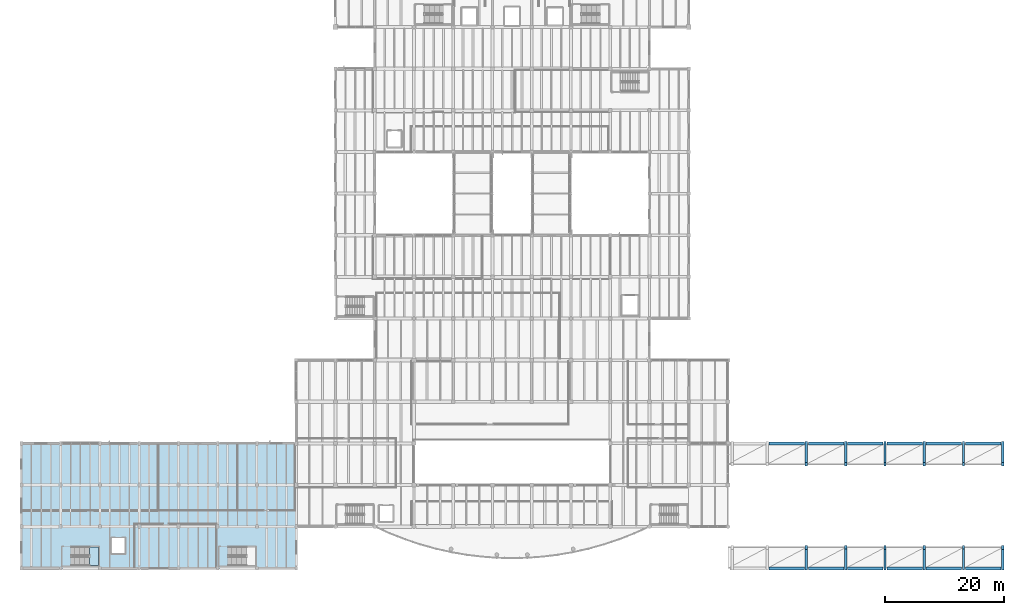
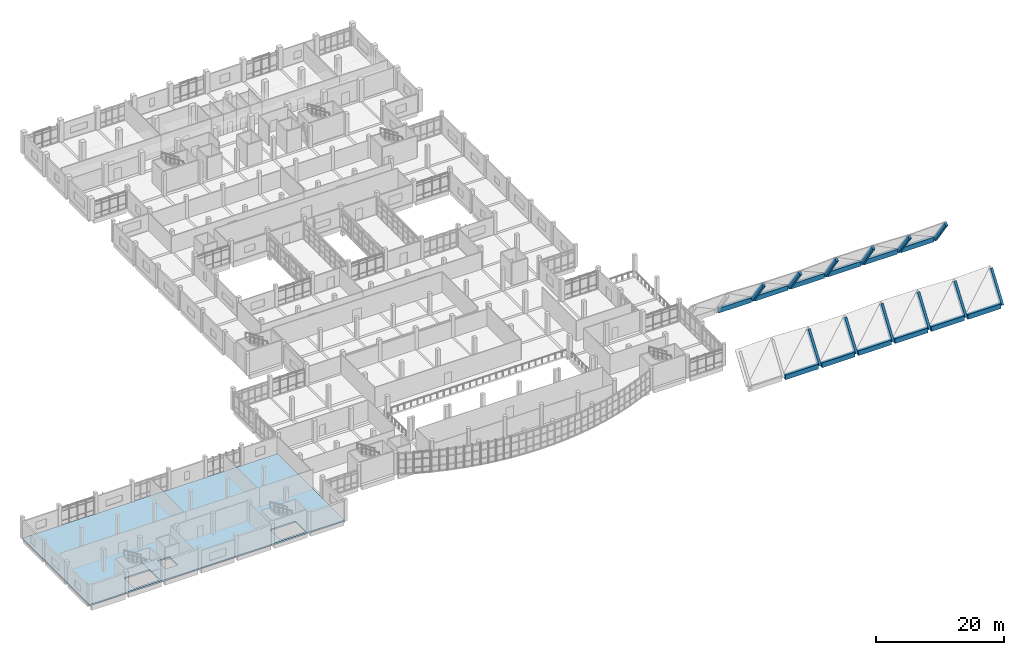
# One storey, part 35 of 67: 24 beams, 2 slabs, 1 element without a shape of its own.
"""IFC4 building model written with IfcOpenShell, lengths in metres."""

import ifcopenshell
import ifcopenshell.guid

model = None  # the IFC model being written
_history = None  # IfcOwnerHistory: only IFC2X3 demands one
_inside = {}  # id of a spatial element -> (the spatial element, [elements in it])
_under = {}  # id of a project, library or spatial element -> (it, [spatial elements below it])
_declared = {}  # id of a project -> (the project, [libraries it declares])
_typed = {}  # id of a type object -> (the type object, [elements of that type])
_made_of = {}  # id of a material, layer set ... -> (it, [elements and type objects made of it])


def new_model(schema):
    """Start an empty IFC model of exactly this schema.

    Asked for "IFC4X3", IfcOpenShell would pick the latest addendum, in which some entities
    have other attributes; the version numbers below select the first issue.
    IFC2X3 requires an IfcOwnerHistory on every rooted entity: one is made here for all.
    """
    global model, _history
    if schema == "IFC4X3":
        model = ifcopenshell.file(schema_version=(4, 3, 0, 0))
    else:
        model = ifcopenshell.file(schema=schema)
    _inside.clear()
    _under.clear()
    _declared.clear()
    _typed.clear()
    _made_of.clear()
    _history = None
    if model.schema == "IFC2X3":
        org = make("IfcOrganization", Name="unknown")
        user = make(
            "IfcPersonAndOrganization",
            ThePerson=make("IfcPerson", FamilyName="unknown"),
            TheOrganization=org,
        )
        app = make(
            "IfcApplication",
            ApplicationDeveloper=org,
            Version="unknown",
            ApplicationFullName="unknown",
            ApplicationIdentifier="unknown",
        )
        _history = make(
            "IfcOwnerHistory",
            OwningUser=user,
            OwningApplication=app,
            ChangeAction="ADDED",
            CreationDate=0,
        )
    return model


def make(cls, **values):
    """One entity of the class cls with the attributes given. An attribute that is None is left unset."""
    return model.create_entity(
        cls, **{name: value for name, value in values.items() if value is not None}
    )


def rooted(cls, **values):
    """An entity with a GlobalId (a new one), such as an element, a storey or a relation."""
    return make(cls, GlobalId=ifcopenshell.guid.new(), OwnerHistory=_history, **values)


def si_unit(unit_type, name, prefix=None):
    """IfcSIUnit, for example si_unit("LENGTHUNIT", "METRE", prefix="MILLI")."""
    return make("IfcSIUnit", UnitType=unit_type, Prefix=prefix, Name=name)


def assignment(units):
    """IfcUnitAssignment: the units of a project."""
    return None if units is None else make("IfcUnitAssignment", Units=units)


def point(xyz):
    """IfcCartesianPoint."""
    return None if xyz is None else make("IfcCartesianPoint", Coordinates=xyz)


def direction(xyz):
    """IfcDirection."""
    return None if xyz is None else make("IfcDirection", DirectionRatios=xyz)


def frame(location, z_axis=None, x_axis=None):
    """IfcAxis2Placement3D, a coordinate frame: its origin and axes. An axis left out is left unset."""
    return make(
        "IfcAxis2Placement3D",
        Location=point(location),
        Axis=direction(z_axis),
        RefDirection=direction(x_axis),
    )


def frame_2d(location, x_axis=None):
    """IfcAxis2Placement2D, a coordinate frame in the plane: its origin and x axis."""
    return make(
        "IfcAxis2Placement2D", Location=point(location), RefDirection=direction(x_axis)
    )


def origin():
    """The frame at (0, 0, 0) with its axes left unset."""
    return frame((0.0, 0.0, 0.0))


def origin_2d():
    """The frame at (0, 0) in the plane with its x axis left unset."""
    return frame_2d((0.0, 0.0))


def place(relative_to, where):
    """IfcLocalPlacement: puts the frame where relative to a parent placement (None: the world)."""
    return make(
        "IfcLocalPlacement", PlacementRelTo=relative_to, RelativePlacement=where
    )


def context(
    kind, dimensions, precision=None, world=None, true_north=None, identifier=None
):
    """IfcGeometricRepresentationContext, for example the 3D "Model" context."""
    return make(
        "IfcGeometricRepresentationContext",
        ContextIdentifier=identifier,
        ContextType=kind,
        CoordinateSpaceDimension=dimensions,
        Precision=precision,
        WorldCoordinateSystem=world,
        TrueNorth=true_north,
    )


def subcontext(parent, identifier, kind, view, scale=None):
    """IfcGeometricRepresentationSubContext, for example "Body" below "Model"."""
    return make(
        "IfcGeometricRepresentationSubContext",
        ContextIdentifier=identifier,
        ContextType=kind,
        ParentContext=parent,
        TargetScale=scale,
        TargetView=view,
    )


def project(units=None, contexts=None):
    """IfcProject with its units and contexts."""
    return rooted(
        "IfcProject",
        Name="project",
        RepresentationContexts=contexts,
        UnitsInContext=assignment(units),
    )


def spatial(cls, under=None, at=None, **own):
    """A site, building, storey or space (cls), placed at a placement, below another one or the project."""
    s = rooted(cls, ObjectPlacement=at, **own)
    if under is not None:
        _under.setdefault(under.id(), (under, []))[1].append(s)
    return s


def polyline(points):
    """IfcPolyline through the points."""
    return make("IfcPolyline", Points=[point(p) for p in points])


def profile(cls, at=None, kind="AREA", **sizes):
    """A parametric profile (cls). Its sizes go by their IFC names, for example OverallWidth=200.0."""
    return make(cls, ProfileType=kind, Position=at, **sizes)


def rectangle(**sizes):
    """IfcRectangleProfileDef."""
    return profile("IfcRectangleProfileDef", **sizes)


def outline(outer, holes=None, kind="AREA"):
    """IfcArbitraryClosedProfileDef: a profile drawn as a closed curve; with holes, ...WithVoids."""
    if holes is None:
        return make("IfcArbitraryClosedProfileDef", ProfileType=kind, OuterCurve=outer)
    return make(
        "IfcArbitraryProfileDefWithVoids",
        ProfileType=kind,
        OuterCurve=outer,
        InnerCurves=holes,
    )


def extrude(swept, where, along, depth):
    """IfcExtrudedAreaSolid: the profile swept, set in the frame where, extruded along a direction by depth."""
    return make(
        "IfcExtrudedAreaSolid",
        SweptArea=swept,
        Position=where,
        ExtrudedDirection=direction(along),
        Depth=depth,
    )


def shape(context_of_items, identifier, shape_type, items):
    """IfcShapeRepresentation: the items that make up one representation, for example the "Body"."""
    return make(
        "IfcShapeRepresentation",
        ContextOfItems=context_of_items,
        RepresentationIdentifier=identifier,
        RepresentationType=shape_type,
        Items=items,
    )


def material(Name=None, Category=None):
    """IfcMaterial."""
    return make("IfcMaterial", Name=Name, Category=Category)


def layer(
    of_material, thickness, ventilated=None, Name=None, Category=None, Priority=None
):
    """IfcMaterialLayer: one layer of a wall or slab, of a material (None: an air gap)."""
    return make(
        "IfcMaterialLayer",
        Material=of_material,
        LayerThickness=thickness,
        IsVentilated=ventilated,
        Name=Name,
        Category=Category,
        Priority=Priority,
    )


def layer_set(layers, Name=None):
    """IfcMaterialLayerSet."""
    return make("IfcMaterialLayerSet", MaterialLayers=layers, LayerSetName=Name)


def material_profile(
    of_material, cross_section, Name=None, Category=None, Priority=None
):
    """IfcMaterialProfile: a cross section and its material."""
    return make(
        "IfcMaterialProfile",
        Name=Name,
        Material=of_material,
        Profile=cross_section,
        Priority=Priority,
        Category=Category,
    )


def profile_set(profiles, Name=None, composite=None):
    """IfcMaterialProfileSet."""
    return make(
        "IfcMaterialProfileSet",
        Name=Name,
        MaterialProfiles=profiles,
        CompositeProfile=composite,
    )


def made_of(thing, what):
    """Note that an element or type object is made of a material, layer set ...; save() writes the relation."""
    if what is not None:
        _made_of.setdefault(what.id(), (what, []))[1].append(thing)
    return thing


def type_object(cls, material=None, **own):
    """A type object (cls), such as IfcWallType, which elements share."""
    return made_of(rooted(cls, **own), material)


def element(
    cls,
    number,
    at=None,
    inside=None,
    cuts=None,
    type_object=None,
    material=None,
    context=None,
    identifier="Body",
    shape_type=None,
    held_by="IfcProductDefinitionShape",
    body=None,
    shapes=None,
    **own,
):
    """One element of the class cls, such as IfcWall. Its Tag is "e" and its number.

    at: its placement. inside: the storey or other place that contains it. cuts: it is an
    opening in that element (IfcRelVoidsElement). A single representation is given by context,
    identifier, shape_type and body (its items); several are given by shapes. held_by: the class
    of the entity that holds the representations. save() writes the other relations.
    """
    e = rooted(cls, Tag="e%d" % number, ObjectPlacement=at, **own)
    if body is not None:
        shapes = [shape(context, identifier, shape_type, body)]
    if shapes is not None:
        e.Representation = make(held_by, Representations=shapes)
    if inside is not None:
        _inside.setdefault(inside.id(), (inside, []))[1].append(e)
    if cuts is not None:
        rooted(
            "IfcRelVoidsElement", RelatingBuildingElement=cuts, RelatedOpeningElement=e
        )
    if type_object is not None:
        _typed.setdefault(type_object.id(), (type_object, []))[1].append(e)
    return made_of(e, material)


def aggregate(whole, parts):
    """IfcRelAggregates: a whole, such as a stair, and the parts it consists of."""
    return rooted("IfcRelAggregates", RelatingObject=whole, RelatedObjects=parts)


def save(model, path):
    """Write the relations noted so far, then the file.

    IfcRelAggregates (storeys below a building ...), IfcRelContainedInSpatialStructure (elements
    in a storey), IfcRelDefinesByType, IfcRelAssociatesMaterial and IfcRelDeclares: one each for
    every whole, place, type object, material and project.
    """
    for whole, parts in _under.values():
        aggregate(whole, parts)
    for where, things in _inside.values():
        rooted(
            "IfcRelContainedInSpatialStructure",
            RelatedElements=things,
            RelatingStructure=where,
        )
    for kind, things in _typed.values():
        rooted("IfcRelDefinesByType", RelatedObjects=things, RelatingType=kind)
    for what, things in _made_of.values():
        rooted("IfcRelAssociatesMaterial", RelatedObjects=things, RelatingMaterial=what)
    for by, libraries in _declared.values():
        rooted("IfcRelDeclares", RelatingContext=by, RelatedDefinitions=libraries)
    model.write(path)


model = new_model("IFC4")

# Units and contexts
model_context = context("Model", 3, precision=1e-05, world=origin(), true_north=direction((0.0, 1.0)))
body_context = subcontext(model_context, "Body", "Model", "MODEL_VIEW")
ifc_project = project(units=[si_unit("LENGTHUNIT", "METRE"), si_unit("AREAUNIT", "SQUARE_METRE"), si_unit("VOLUMEUNIT", "CUBIC_METRE"), si_unit("PLANEANGLEUNIT", "RADIAN"), si_unit("MASSUNIT", "GRAM", prefix="KILO")], contexts=[model_context])

# Site, building, storey
site_placement = place(None, origin())
site = spatial("IfcSite", under=ifc_project, at=site_placement, CompositionType="ELEMENT")
building_placement = place(site_placement, origin())
building = spatial("IfcBuilding", under=site, at=building_placement, Name="Ciguamira Faculty of Natural Sciences", CompositionType="ELEMENT")
storey_placement = place(building_placement, frame((0.0, 0.0, 8.39990234375)))
storey = spatial("IfcBuildingStorey", under=building, at=storey_placement, Name="L02", CompositionType="ELEMENT", Elevation=8.39990234375)

# Beams
ifc_material = material(Name="Concrete C40/50", Category="concrete")
ifc_material_profile_1 = material_profile(ifc_material, rectangle(XDim=0.5, YDim=0.89990234375, at=origin_2d()), Name="RC-BM-500X900")
ifc_profile_set_1 = profile_set([ifc_material_profile_1], Name="Concrete C40/50")
beam_type_1 = type_object("IfcBeamType", Name="RCBeam_BG-03_RC-BM-500X900", PredefinedType="BEAM", material=ifc_profile_set_1)
for number, where, z_axis, x_axis, name in (
    (1, (130.22509765625, 3.0, -0.449951171875), (1.0, 0.0, 0.0), (0.0, 1.0, 0.0), "V1 shell visible RC edge tie beam S-02"),
    (2, (136.824951171875, 3.0, -0.449951171875), (1.0, 0.0, 0.0), (0.0, 1.0, 0.0), "V1 shell visible RC edge tie beam S-03"),
    (3, (143.425048828125, 3.0, -0.449951171875), (1.0, 0.0, 0.0), (0.0, 1.0, 0.0), "V1 shell visible RC edge tie beam S-04"),
):
    element("IfcBeam", number, at=place(storey_placement, frame(where, z_axis=z_axis, x_axis=x_axis)), inside=storey, type_object=beam_type_1, Name=name, PredefinedType="BEAM", context=body_context, shape_type="SweptSolid", body=[
        extrude(rectangle(XDim=0.5, YDim=0.89990234375, at=origin_2d()), origin(), (0.0, 0.0, 1.0), 5.949951171875),
    ])
beam_1_placement = place(storey_placement, frame((150.02490234375, 3.0, -0.449951171875), z_axis=(1.0, 0.0, 0.0), x_axis=(0.0, 1.0, 0.0)))
element("IfcBeam", 4, at=beam_1_placement, inside=storey, type_object=beam_type_1, Name="V1 shell visible RC edge tie beam S-05", PredefinedType="BEAM", context=body_context, shape_type="SweptSolid", body=[
    extrude(rectangle(XDim=0.5, YDim=0.89990234375, at=origin_2d()), origin(), (0.0, 0.0, 1.0), 5.9501953125),
])
for number, where, z_axis, x_axis, name in (
    (5, (156.625, 3.0, -0.449951171875), (1.0, 0.0, 0.0), (0.0, 1.0, 0.0), "V1 shell visible RC edge tie beam S-06"),
    (6, (163.22509765625, 3.0, -0.449951171875), (1.0, 0.0, 0.0), (0.0, 1.0, 0.0), "V1 shell visible RC edge tie beam S-07"),
    (7, (130.22509765625, 24.0, -0.449951171875), (1.0, 0.0, 0.0), (0.0, 1.0, 0.0), "V1 shell visible RC edge tie beam N-02"),
    (8, (136.824951171875, 24.0, -0.449951171875), (1.0, 0.0, 0.0), (0.0, 1.0, 0.0), "V1 shell visible RC edge tie beam N-03"),
    (9, (143.425048828125, 24.0, -0.449951171875), (1.0, 0.0, 0.0), (0.0, 1.0, 0.0), "V1 shell visible RC edge tie beam N-04"),
):
    element("IfcBeam", number, at=place(storey_placement, frame(where, z_axis=z_axis, x_axis=x_axis)), inside=storey, type_object=beam_type_1, Name=name, PredefinedType="BEAM", context=body_context, shape_type="SweptSolid", body=[
        extrude(rectangle(XDim=0.5, YDim=0.89990234375, at=origin_2d()), origin(), (0.0, 0.0, 1.0), 5.949951171875),
    ])
beam_2_placement = place(storey_placement, frame((150.02490234375, 24.0, -0.449951171875), z_axis=(1.0, 0.0, 0.0), x_axis=(0.0, 1.0, 0.0)))
element("IfcBeam", 10, at=beam_2_placement, inside=storey, type_object=beam_type_1, Name="V1 shell visible RC edge tie beam N-05", PredefinedType="BEAM", context=body_context, shape_type="SweptSolid", body=[
    extrude(rectangle(XDim=0.5, YDim=0.89990234375, at=origin_2d()), origin(), (0.0, 0.0, 1.0), 5.9501953125),
])
for number, where, z_axis, x_axis, name in (
    (11, (156.625, 24.0, -0.449951171875), (1.0, 0.0, 0.0), (0.0, 1.0, 0.0), "V1 shell visible RC edge tie beam N-06"),
    (12, (163.22509765625, 24.0, -0.449951171875), (1.0, 0.0, 0.0), (0.0, 1.0, 0.0), "V1 shell visible RC edge tie beam N-07"),
):
    element("IfcBeam", number, at=place(storey_placement, frame(where, z_axis=z_axis, x_axis=x_axis)), inside=storey, type_object=beam_type_1, Name=name, PredefinedType="BEAM", context=body_context, shape_type="SweptSolid", body=[
        extrude(rectangle(XDim=0.5, YDim=0.89990234375, at=origin_2d()), origin(), (0.0, 0.0, 1.0), 5.949951171875),
    ])
ifc_material_profile_2 = material_profile(ifc_material, rectangle(XDim=0.419921875, YDim=0.739990234375, at=origin_2d()), Name="RC-BM-420X740")
ifc_profile_set_2 = profile_set([ifc_material_profile_2], Name="Concrete C40/50")
beam_type_2 = type_object("IfcBeamType", Name="RCBeam_BG-07_RC-BM-420X740", PredefinedType="BEAM", material=ifc_profile_set_2)
for number, where, z_axis, x_axis, name in (
    (13, (136.5, 3.0, -0.52978515625), (0.0, 0.580288213155, 0.814411192011), (-1.0, 0.0, 0.0), "V1 shell RC arch rib 03-01"),
    (14, (136.5, 20.5, 4.38232421875), (0.0, 0.580288213155, -0.814411192011), (-1.0, 0.0, 0.0), "V1 shell RC arch rib 03-06"),
):
    element("IfcBeam", number, at=place(storey_placement, frame(where, z_axis=z_axis, x_axis=x_axis)), inside=storey, type_object=beam_type_2, Name=name, PredefinedType="BEAM", context=body_context, shape_type="SweptSolid", body=[
        extrude(rectangle(XDim=0.419921875, YDim=0.739990234375, at=origin_2d()), origin(), (0.0, 0.0, 1.0), 6.031494140625),
    ])
for number, where, z_axis, x_axis, name in (
    (15, (143.10009765625, 3.0, -0.52978515625), (0.0, 0.585506956689, 0.810667381649), (-1.0, 0.0, 0.0), "V1 shell RC arch rib 04-01"),
    (16, (143.10009765625, 20.5, 4.316162109375), (0.0, 0.585506956689, -0.810667381649), (-1.0, 0.0, 0.0), "V1 shell RC arch rib 04-06"),
):
    element("IfcBeam", number, at=place(storey_placement, frame(where, z_axis=z_axis, x_axis=x_axis)), inside=storey, type_object=beam_type_2, Name=name, PredefinedType="BEAM", context=body_context, shape_type="SweptSolid", body=[
        extrude(rectangle(XDim=0.419921875, YDim=0.739990234375, at=origin_2d()), origin(), (0.0, 0.0, 1.0), 5.977783203125),
    ])
for number, where, z_axis, x_axis, name in (
    (17, (149.699951171875, 3.0, -0.52978515625), (0.0, 0.562608397167, 0.826723527812), (-1.0, 0.0, 0.0), "V1 shell RC arch rib 05-01"),
    (18, (149.699951171875, 20.5, 4.61328125), (0.0, 0.562608397167, -0.826723527812), (-1.0, 0.0, 0.0), "V1 shell RC arch rib 05-06"),
):
    element("IfcBeam", number, at=place(storey_placement, frame(where, z_axis=z_axis, x_axis=x_axis)), inside=storey, type_object=beam_type_2, Name=name, PredefinedType="BEAM", context=body_context, shape_type="SweptSolid", body=[
        extrude(rectangle(XDim=0.419921875, YDim=0.739990234375, at=origin_2d()), origin(), (0.0, 0.0, 1.0), 6.220947265625),
    ])
for number, where, z_axis, x_axis, name in (
    (19, (156.300048828125, 3.0, -0.52978515625), (0.0, 0.567588617115, 0.823312311168), (-1.0, 0.0, 0.0), "V1 shell RC arch rib 06-01"),
    (20, (156.300048828125, 20.5, 4.547119140625), (0.0, 0.567588617115, -0.823312311168), (-1.0, 0.0, 0.0), "V1 shell RC arch rib 06-06"),
):
    element("IfcBeam", number, at=place(storey_placement, frame(where, z_axis=z_axis, x_axis=x_axis)), inside=storey, type_object=beam_type_2, Name=name, PredefinedType="BEAM", context=body_context, shape_type="SweptSolid", body=[
        extrude(rectangle(XDim=0.419921875, YDim=0.739990234375, at=origin_2d()), origin(), (0.0, 0.0, 1.0), 6.16650390625),
    ])
for number, where, z_axis, x_axis, name in (
    (21, (162.89990234375, 3.0, -0.52978515625), (0.0, 0.588425483996, 0.808551451538), (-1.0, 0.0, 0.0), "V1 shell RC arch rib 07-01"),
    (22, (162.89990234375, 20.5, 4.279541015625), (0.0, 0.588425483996, -0.808551451538), (-1.0, 0.0, 0.0), "V1 shell RC arch rib 07-06"),
):
    element("IfcBeam", number, at=place(storey_placement, frame(where, z_axis=z_axis, x_axis=x_axis)), inside=storey, type_object=beam_type_2, Name=name, PredefinedType="BEAM", context=body_context, shape_type="SweptSolid", body=[
        extrude(rectangle(XDim=0.419921875, YDim=0.739990234375, at=origin_2d()), origin(), (0.0, 0.0, 1.0), 5.947998046875),
    ])
for number, where, z_axis, x_axis, name in (
    (23, (169.5, 3.0, -0.52978515625), (0.0, 0.573876008391, 0.818942200032), (-1.0, 0.0, 0.0), "V1 shell RC arch rib 08-01"),
    (24, (169.5, 20.5, 4.46484375), (0.0, 0.573876008391, -0.818942200032), (-1.0, 0.0, 0.0), "V1 shell RC arch rib 08-06"),
):
    element("IfcBeam", number, at=place(storey_placement, frame(where, z_axis=z_axis, x_axis=x_axis)), inside=storey, type_object=beam_type_2, Name=name, PredefinedType="BEAM", context=body_context, shape_type="SweptSolid", body=[
        extrude(rectangle(XDim=0.419921875, YDim=0.739990234375, at=origin_2d()), origin(), (0.0, 0.0, 1.0), 6.098876953125),
    ])

# Slab
ifc_layer_1 = layer(ifc_material, 0.260009765625, Name="Concrete C40/50")
ifc_layer_set_1 = layer_set([ifc_layer_1], Name="Concrete C40/50")
slab_type_1 = type_object("IfcSlabType", Name="Slab_SF-04_260", PredefinedType="FLOOR", material=ifc_layer_set_1)
slab_1_placement = place(storey_placement, frame((0.0, 0.0, -0.260009765625)))
element("IfcSlab", 25, at=slab_1_placement, inside=storey, type_object=slab_type_1, Name="L02 V2 structural slab", PredefinedType="FLOOR", context=body_context, shape_type="SweptSolid", body=[
    extrude(outline(polyline([(4.5, 3.0), (50.64990234375, 3.0), (50.64990234375, 24.0), (4.5, 24.0), (4.5, 3.0)]), holes=[polyline([(12.860107421875, 3.449951171875), (17.449951171875, 3.449951171875), (17.449951171875, 6.610107421875), (12.860107421875, 6.610107421875), (12.860107421875, 3.449951171875)]), polyline([(39.260009765625, 3.449951171875), (43.85009765625, 3.449951171875), (43.85009765625, 6.610107421875), (39.260009765625, 6.610107421875), (39.260009765625, 3.449951171875)]), polyline([(19.699951171875, 5.5), (21.89990234375, 5.5), (21.89990234375, 8.10009765625), (19.699951171875, 8.10009765625), (19.699951171875, 5.5)])]), origin(), (0.0, 0.0, 1.0), 0.260009765625),
])

# Stair, slab
stair_type = type_object("IfcStairType", Name="Stair_STR-01", PredefinedType="HALF_TURN_STAIR", material=ifc_material)
stair_placement = place(storey_placement, origin())
stair = element("IfcStair", 26, at=stair_placement, inside=storey, type_object=stair_type, Name="L02 Commons West Exit Stair", PredefinedType="HALF_TURN_STAIR")
ifc_layer_2 = layer(ifc_material, 0.199951171875, Name="Concrete C40/50")
ifc_layer_set_2 = layer_set([ifc_layer_2], Name="Concrete C40/50")
slab_type_2 = type_object("IfcSlabType", Name="StairLanding_SLD01", PredefinedType="LANDING", material=ifc_layer_set_2)
slab_2_placement = place(storey_placement, frame((0.0, 0.0, 1.900146484375)))
slab_2 = element("IfcSlab", 27, at=slab_2_placement, type_object=slab_type_2, Name="ST-C1 landing 1", PredefinedType="LANDING", context=body_context, shape_type="SweptSolid", body=[
    extrude(outline(polyline([(15.93994140625, 3.449951171875), (17.449951171875, 3.449951171875), (17.449951171875, 6.610107421875), (15.93994140625, 6.610107421875), (15.93994140625, 3.449951171875)])), origin(), (0.0, 0.0, 1.0), 0.199951171875),
])
aggregate(stair, [slab_2])

save(model, "model.ifc")
